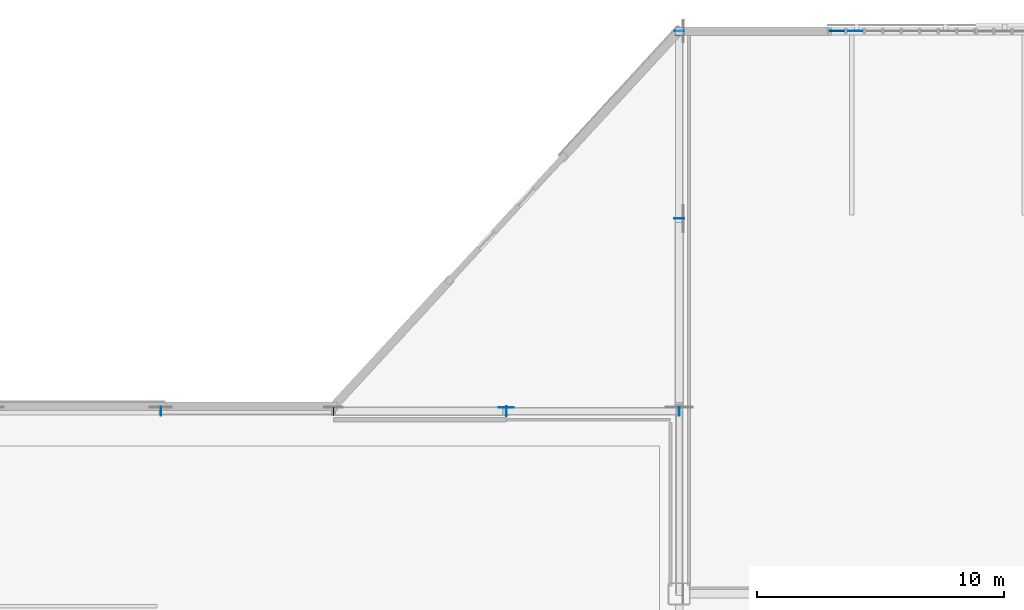
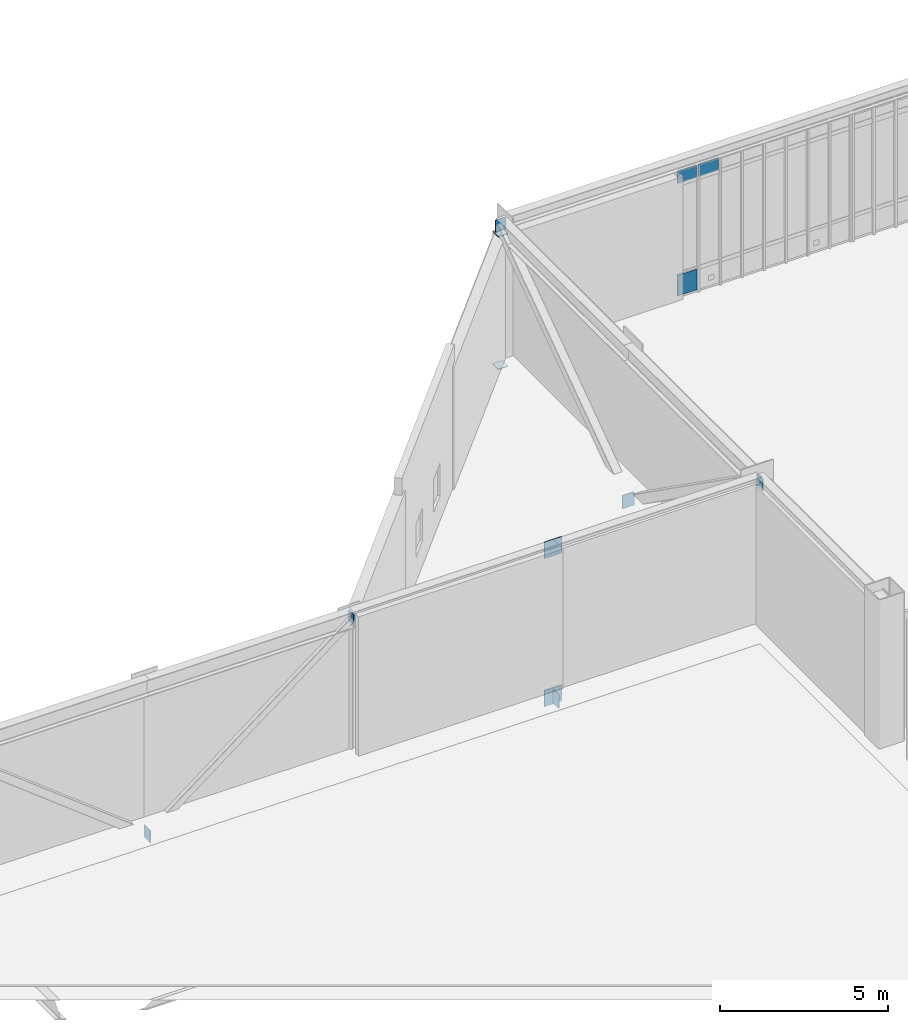
# One storey, part 99 of 135: 13 plates, 1 element without a shape of its own.
"""IFC4 building model written with IfcOpenShell, lengths in metres."""

from ifc_helpers import new_model, si_unit, direction, frame, origin, origin_2d, place, context, subcontext, project, spatial, rectangle, extrude, material, layer, layer_set, type_object, element, aggregate, save


model = new_model("IFC4")

# Units and contexts
model_context = context("Model", 3, precision=1e-05, world=origin(), true_north=direction((0.0, 1.0)))
body_context = subcontext(model_context, "Body", "Model", "MODEL_VIEW")
ifc_project = project(units=[si_unit("LENGTHUNIT", "METRE"), si_unit("AREAUNIT", "SQUARE_METRE"), si_unit("VOLUMEUNIT", "CUBIC_METRE"), si_unit("PLANEANGLEUNIT", "RADIAN"), si_unit("MASSUNIT", "GRAM", prefix="KILO")], contexts=[model_context])

# Site, building, storey
site_placement = place(None, origin())
site = spatial("IfcSite", under=ifc_project, at=site_placement, CompositionType="ELEMENT")
building_placement = place(site_placement, origin())
building = spatial("IfcBuilding", under=site, at=building_placement, Name="Larkvane Passage Sports Hall", CompositionType="ELEMENT")
storey_placement = place(building_placement, frame((0.0, 0.0, 16.800048828125)))
storey = spatial("IfcBuildingStorey", under=building, at=storey_placement, Name="L03", CompositionType="ELEMENT", Elevation=16.800048828125)

# Curtain wall, plates
ifc_material_1 = material(Name="Thermally broken aluminium and low-E glazing", Category="aluminium")
curtain_wall_type = type_object("IfcCurtainWallType", Name="CW-UNIT-COURT", PredefinedType="USERDEFINED", material=ifc_material_1)
curtain_wall_placement = place(storey_placement, origin())
curtain_wall = element("IfcCurtainWall", 1, at=curtain_wall_placement, inside=storey, type_object=curtain_wall_type, Name="Curtain wall CW5-L03-136", ObjectType="UNITISED CURTAIN WALL", PredefinedType="USERDEFINED")
ifc_material_2 = material(Name="Insulated aluminium spandrel panel", Category="aluminium")
ifc_layer_1 = layer(ifc_material_2, 0.06494140625)
ifc_layer_set_1 = layer_set([ifc_layer_1], Name="Insulated aluminium spandrel panel")
plate_type_1 = type_object("IfcPlateType", Name="CWP-SPD-65", PredefinedType="CURTAIN_PANEL", material=ifc_layer_set_1)
plate_1_placement = place(storey_placement, frame((41.191162109375, 114.39990234375, 0.06494140625), z_axis=(0.0, 0.0, 1.0), x_axis=(1.0, 0.0, 0.0)))
plate_1 = element("IfcPlate", 2, at=plate_1_placement, type_object=plate_type_1, Name="CW-01 panel 1.1", PredefinedType="CURTAIN_PANEL", context=body_context, shape_type="SweptSolid", body=[
    extrude(rectangle(XDim=0.652587890625, YDim=0.06494140625, at=origin_2d()), origin(), (0.0, 0.0, 1.0), 0.75244140625),
])
ifc_material_3 = material(Name="Solar-control low-E double glazing", Category="glass")
ifc_layer_2 = layer(ifc_material_3, 0.028076171875)
ifc_layer_set_2 = layer_set([ifc_layer_2], Name="Solar-control low-E double glazing")
plate_type_2 = type_object("IfcPlateType", Name="CWP-VIS-28", PredefinedType="CURTAIN_PANEL", material=ifc_layer_set_2)
plate_2_placement = place(storey_placement, frame((41.191162109375, 114.39990234375, 4.13037109375), z_axis=(0.0, 0.0, 1.0), x_axis=(1.0, 0.0, 0.0)))
plate_2 = element("IfcPlate", 3, at=plate_2_placement, type_object=plate_type_2, Name="CW-01 panel 1.3", PredefinedType="CURTAIN_PANEL", context=body_context, shape_type="SweptSolid", body=[
    extrude(rectangle(XDim=0.652587890625, YDim=0.028076171875, at=origin_2d()), origin(), (0.0, 0.0, 1.0), 0.452392578125),
])
plate_3_placement = place(storey_placement, frame((41.925048828125, 114.39990234375, 4.13037109375), z_axis=(0.0, 0.0, 1.0), x_axis=(1.0, 0.0, 0.0)))
plate_3 = element("IfcPlate", 4, at=plate_3_placement, type_object=plate_type_2, Name="CW-01 panel 2.3", PredefinedType="CURTAIN_PANEL", context=body_context, shape_type="SweptSolid", body=[
    extrude(rectangle(XDim=0.68505859375, YDim=0.028076171875, at=origin_2d()), origin(), (0.0, 0.0, 1.0), 0.452392578125),
])
aggregate(curtain_wall, [plate_1, plate_2, plate_3])

# Plates
ifc_material_4 = material(Name="Steel S355JR", Category="steel")
ifc_layer_3 = layer(ifc_material_4, 0.011962890625)
ifc_layer_set_3 = layer_set([ifc_layer_3], Name="Steel S355JR")
plate_type_3 = type_object("IfcPlateType", Name="PLT-CAP-12", PredefinedType="SHEET", material=ifc_layer_set_3)
plate_4_placement = place(storey_placement, frame((20.8046875, 99.0, 4.572265625), z_axis=(0.0, 0.0, 1.0), x_axis=(0.0, 1.0, 0.0)))
element("IfcPlate", 5, at=plate_4_placement, inside=storey, type_object=plate_type_3, Name="Hollow section sealed end cap plate 0120", PredefinedType="SHEET", context=body_context, shape_type="SweptSolid", body=[
    extrude(rectangle(XDim=0.31005859375, YDim=0.028076171875, at=origin_2d()), origin(), (0.0, 0.0, 1.0), 0.375),
])
ifc_material_5 = material(Name="Steel S460N", Category="steel")
ifc_layer_4 = layer(ifc_material_5, 0.02001953125)
ifc_layer_set_4 = layer_set([ifc_layer_4], Name="Steel S460N")
plate_type_4 = type_object("IfcPlateType", Name="PLT-CAP-20", PredefinedType="SHEET", material=ifc_layer_set_4)
plate_5_placement = place(storey_placement, frame((13.807861328125, 99.0, -0.840087890625), z_axis=(0.0, 0.0, 1.0), x_axis=(0.0, 1.0, 0.0)))
element("IfcPlate", 6, at=plate_5_placement, inside=storey, type_object=plate_type_4, Name="Hollow section sealed end cap plate 0119", PredefinedType="SHEET", context=body_context, shape_type="SweptSolid", body=[
    extrude(rectangle(XDim=0.360107421875, YDim=0.028076171875, at=origin_2d()), origin(), (0.0, 0.0, 1.0), 0.43994140625),
])
plate_6_placement = place(storey_placement, frame((27.807861328125, 99.0, -0.87060546875), z_axis=(0.0, 0.0, 1.0), x_axis=(0.0, 1.0, 0.0)))
element("IfcPlate", 7, at=plate_6_placement, inside=storey, type_object=plate_type_4, Name="Hollow section sealed end cap plate 0121", PredefinedType="SHEET", context=body_context, shape_type="SweptSolid", body=[
    extrude(rectangle(XDim=0.409912109375, YDim=0.028076171875, at=origin_2d()), origin(), (0.0, 0.0, 1.0), 0.5009765625),
])
plate_7_placement = place(storey_placement, frame((34.807861328125, 99.0, 4.54296875), z_axis=(0.0, 0.0, 1.0), x_axis=(0.0, 1.0, 0.0)))
element("IfcPlate", 8, at=plate_7_placement, inside=storey, type_object=plate_type_4, Name="Hollow section sealed end cap plate 0122", PredefinedType="SHEET", context=body_context, shape_type="SweptSolid", body=[
    extrude(rectangle(XDim=0.360107421875, YDim=0.028076171875, at=origin_2d()), origin(), (0.0, 0.0, 1.0), 0.43798828125),
])
plate_8_placement = place(storey_placement, frame((34.800048828125, 106.80810546875, -0.8642578125), z_axis=(0.0, 0.0, 1.0), x_axis=(-1.0, 0.0, 0.0)))
element("IfcPlate", 9, at=plate_8_placement, inside=storey, type_object=plate_type_4, Name="Hollow section sealed end cap plate 0148", PredefinedType="SHEET", context=body_context, shape_type="SweptSolid", body=[
    extrude(rectangle(XDim=0.409912109375, YDim=0.028076171875, at=origin_2d()), origin(), (0.0, 0.0, 1.0), 0.489013671875),
])
plate_9_placement = place(storey_placement, frame((34.800048828125, 114.408203125, 4.54833984375), z_axis=(0.0, 0.0, 1.0), x_axis=(-1.0, 0.0, 0.0)))
element("IfcPlate", 10, at=plate_9_placement, inside=storey, type_object=plate_type_4, Name="Hollow section sealed end cap plate 0149", PredefinedType="SHEET", context=body_context, shape_type="SweptSolid", body=[
    extrude(rectangle(XDim=0.360107421875, YDim=0.028076171875, at=origin_2d()), origin(), (0.0, 0.0, 1.0), 0.427001953125),
])
for number, where, z_axis, x_axis, name in (
    (11, (34.800048828125, 114.39990234375, -0.340087890625), (0.0, 0.0, 1.0), (1.0, 0.0, 0.0), "Hollow section sealed end cap plate 0150"),
    (12, (34.800048828125, 114.39990234375, 4.4619140625), (0.0, 0.0, 1.0), (1.0, 0.0, 0.0), "Hollow section sealed end cap plate 0151"),
):
    element("IfcPlate", number, at=place(storey_placement, frame(where, z_axis=z_axis, x_axis=x_axis)), inside=storey, type_object=plate_type_4, Name=name, PredefinedType="SHEET", context=body_context, shape_type="SweptSolid", body=[
        extrude(rectangle(XDim=0.340087890625, YDim=0.340087890625, at=origin_2d()), origin(), (0.0, 0.0, 1.0), 0.02001953125),
    ])
ifc_layer_5 = layer(ifc_material_5, 0.01611328125)
ifc_layer_set_5 = layer_set([ifc_layer_5], Name="Steel S460N")
plate_type_5 = type_object("IfcPlateType", Name="PLT-GUS-16", PredefinedType="USERDEFINED", material=ifc_layer_set_5)
for number, where, z_axis, x_axis, name in (
    (13, (27.800048828125, 99.157958984375, -0.9140625), (0.0, 0.0, 1.0), (1.0, 0.0, 0.0), "Truss node gusset plate ND-5B (CT-W3A-2)"),
    (14, (27.800048828125, 99.157958984375, 4.455810546875), (0.0, 0.0, 1.0), (1.0, 0.0, 0.0), "Truss node gusset plate ND-5T (CT-W3A-2)"),
):
    element("IfcPlate", number, at=place(storey_placement, frame(where, z_axis=z_axis, x_axis=x_axis)), inside=storey, type_object=plate_type_5, Name=name, ObjectType="GUSSET PLATE", PredefinedType="USERDEFINED", context=body_context, shape_type="SweptSolid", body=[
        extrude(rectangle(XDim=0.60009765625, YDim=0.01611328125, at=origin_2d()), origin(), (0.0, 0.0, 1.0), 0.60009765625),
    ])

save(model, "model.ifc")
